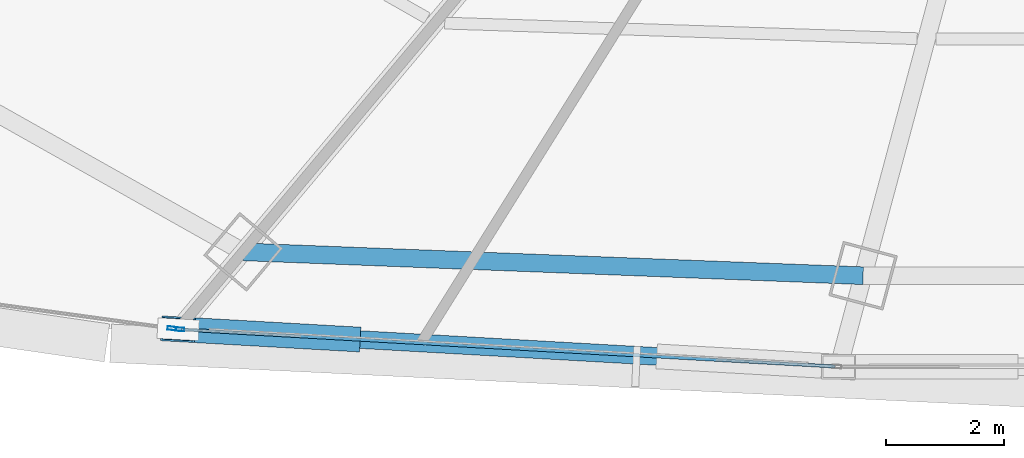
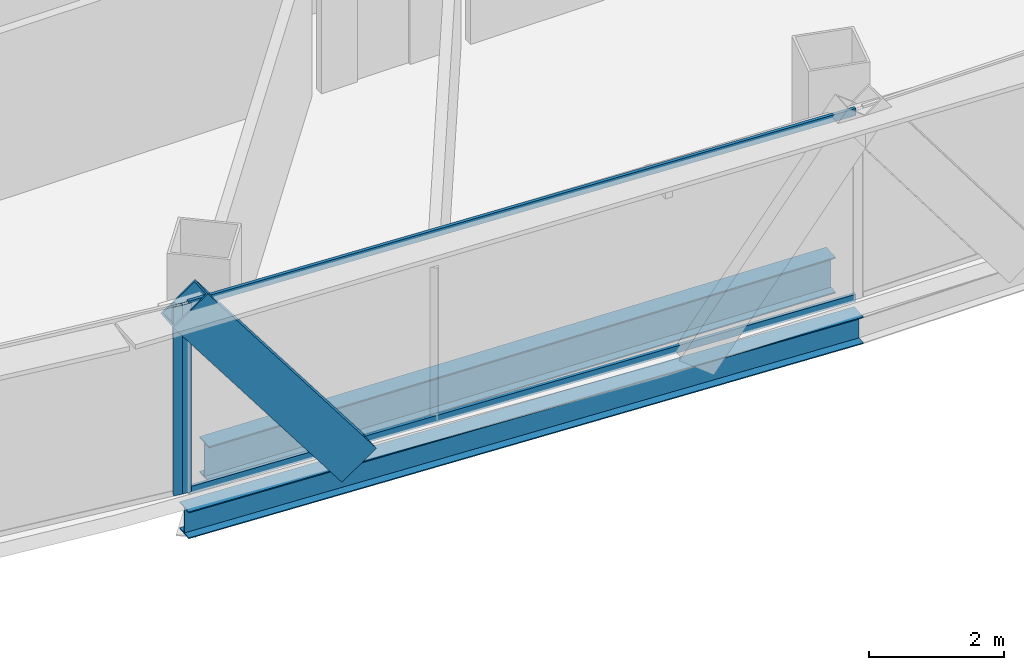
# One storey, part 6 of 39: 5 members, 2 beams, 2 elements without a shape of their own.
"""IFC4 building model written with IfcOpenShell, lengths in metres."""

from ifc_helpers import new_model, si_unit, direction, frame, origin, origin_2d, place, context, subcontext, project, spatial, hollow_rectangle, i_section, extrude, source, transform, mapped, material, layer, layer_set, material_profile, profile_set, type_object, element, aggregate, save


model = new_model("IFC4")

# Units and contexts
model_context = context("Model", 3, precision=1e-05, world=origin(), true_north=direction((0.0, 1.0)))
body_context = subcontext(model_context, "Body", "Model", "MODEL_VIEW")
ifc_project = project(units=[si_unit("LENGTHUNIT", "METRE"), si_unit("AREAUNIT", "SQUARE_METRE"), si_unit("VOLUMEUNIT", "CUBIC_METRE"), si_unit("PLANEANGLEUNIT", "RADIAN"), si_unit("MASSUNIT", "GRAM", prefix="KILO"), si_unit("THERMODYNAMICTEMPERATUREUNIT", "KELVIN"), si_unit("POWERUNIT", "WATT")], contexts=[model_context])

# Site, building, storey
site_placement = place(None, origin())
site = spatial("IfcSite", under=ifc_project, at=site_placement, CompositionType="ELEMENT")
building_placement = place(site_placement, origin())
building = spatial("IfcBuilding", under=site, at=building_placement, Name="Yunzhuo Pagoda Commons", CompositionType="ELEMENT")
storey_placement = place(building_placement, frame((0.0, 0.0, 140.8701171875)))
storey = spatial("IfcBuildingStorey", under=building, at=storey_placement, Name="L35", CompositionType="ELEMENT", Elevation=140.8701171875)

# Beams
ifc_material_1 = material(Name="Structural steel Q355B", Category="steel")
ifc_material_profile_1 = material_profile(ifc_material_1, i_section(OverallWidth=0.300048828125, OverallDepth=0.64990234375, WebThickness=0.012939453125, FlangeThickness=0.02197265625, at=origin_2d()), Name="Structural steel Q355B")
ifc_profile_set_1 = profile_set([ifc_material_profile_1], Name="Structural steel Q355B")
beam_type_1 = type_object("IfcBeamType", Name="B-RG2 Beam HN 650x300x13x22", PredefinedType="BEAM", material=ifc_profile_set_1)
shared_shape_1 = source(origin(), body_context, "Body", "SweptSolid", [
    extrude(i_section(OverallWidth=0.300048828125, OverallDepth=0.64990234375, WebThickness=0.012939453125, FlangeThickness=0.02197265625, at=origin_2d()), origin(), (0.0, 0.0, 1.0), 10.5078125),
])
beam_1_placement = place(storey_placement, frame((32.414794921875, 15.126220703125, -0.585205078125), z_axis=(0.999258632812, -0.03849915259, 0.0), x_axis=(0.03849915259, 0.999258632812, 0.0)))
element("IfcBeam", 1, at=beam_1_placement, inside=storey, type_object=beam_type_1, Name="L35 column-ring beam 1", PredefinedType="BEAM", context=body_context, shape_type="MappedRepresentation", body=[
    mapped(shared_shape_1, transform((0.0, 0.0, 0.0), scale=1.0)),
])
ifc_material_profile_2 = material_profile(ifc_material_1, i_section(OverallWidth=0.300048828125, OverallDepth=0.488037109375, WebThickness=0.010986328125, FlangeThickness=0.01806640625, at=origin_2d()), Name="Structural steel Q355B")
ifc_profile_set_2 = profile_set([ifc_material_profile_2], Name="Structural steel Q355B")
beam_type_2 = type_object("IfcBeamType", Name="B-SP1 Beam HM 488x300x11x18", PredefinedType="BEAM", material=ifc_profile_set_2)
shared_shape_2 = source(origin(), body_context, "Body", "SweptSolid", [
    extrude(i_section(OverallWidth=0.300048828125, OverallDepth=0.488037109375, WebThickness=0.010986328125, FlangeThickness=0.01806640625, at=origin_2d()), origin(), (0.0, 0.0, 1.0), 11.20556640625),
])
beam_2_placement = place(storey_placement, frame((31.314453125, 13.81494140625, -0.504150390625), z_axis=(0.998396692346, -0.056604281746, 0.0), x_axis=(0.056604281746, 0.998396692346, 0.0)))
element("IfcBeam", 2, at=beam_2_placement, inside=storey, type_object=beam_type_2, Name="L35 facade edge spandrel beam F1.1", PredefinedType="BEAM", context=body_context, shape_type="MappedRepresentation", body=[
    mapped(shared_shape_2, transform((0.0, 0.0, 0.0), scale=1.0)),
])

# Member
ifc_material_2 = material(Name="Structural steel Q420B", Category="steel")
ifc_material_profile_3 = material_profile(ifc_material_2, hollow_rectangle(XDim=0.419921875, YDim=0.719970703125, WallThickness=0.028076171875, at=origin_2d()), Name="Structural steel Q420B")
ifc_profile_set_3 = profile_set([ifc_material_profile_3], Name="Structural steel Q420B")
member_type_1 = type_object("IfcMemberType", Name="M-DL1 Brace BOX 720x420x28", PredefinedType="BRACE", material=ifc_profile_set_3)
shared_shape_3 = source(origin(), body_context, "Body", "SweptSolid", [
    extrude(hollow_rectangle(XDim=0.419921875, YDim=0.719970703125, WallThickness=0.028076171875, at=origin_2d()), origin(), (0.0, 0.0, 1.0), 4.625),
])
member_1_placement = place(storey_placement, frame((34.111328125, 13.65625, -0.260009765625), z_axis=(-0.604744365937, 0.034312485847, 0.795680152563), x_axis=(-0.056647717242, -0.998394228815, 0.0)))
element("IfcMember", 3, at=member_1_placement, inside=storey, type_object=member_type_1, Name="L35 facade diamond brace F1.1L", PredefinedType="BRACE", context=body_context, shape_type="MappedRepresentation", body=[
    mapped(shared_shape_3, transform((0.0, 0.0, 0.0), scale=1.0)),
])

# Curtain wall, member
ifc_material_3 = material(Name="Anodized aluminium 6063-T6", Category="aluminium")
ifc_layer = layer(ifc_material_3, 0.14990234375)
ifc_layer_set = layer_set([ifc_layer], Name="Anodized aluminium 6063-T6")
curtain_wall_type = type_object("IfcCurtainWallType", Name="CW-MID Mid-Zone Ribbon Curtain Wall", PredefinedType="NOTDEFINED", material=ifc_layer_set)
curtain_wall_1_placement = place(storey_placement, origin())
curtain_wall_1 = element("IfcCurtainWall", 4, at=curtain_wall_1_placement, inside=storey, type_object=curtain_wall_type, Name="L35 curtain wall CW-L35-F1B2", PredefinedType="NOTDEFINED")
ifc_material_profile_4 = material_profile(ifc_material_3, hollow_rectangle(XDim=0.06005859375, YDim=0.14990234375, WallThickness=0.00390625, at=origin_2d()), Name="Anodized aluminium 6063-T6")
ifc_profile_set_4 = profile_set([ifc_material_profile_4], Name="Anodized aluminium 6063-T6")
member_type_2 = type_object("IfcMemberType", Name="CW-MID-M Mullion RHS 150x60x4", PredefinedType="MULLION", material=ifc_profile_set_4)
shared_shape_4 = source(origin(), body_context, "Body", "SweptSolid", [
    extrude(hollow_rectangle(XDim=0.06005859375, YDim=0.14990234375, WallThickness=0.00390625, at=origin_2d()), origin(), (0.0, 0.0, 1.0), 3.419921875),
])
member_2_placement = place(storey_placement, frame((31.34423828125, 13.813232421875, 0.0), z_axis=(0.0, 0.0, 1.0), x_axis=(0.056597401536, 0.998397082397, 0.0)))
member_2 = element("IfcMember", 5, at=member_2_placement, type_object=member_type_2, Name="CW mullion 1", PredefinedType="MULLION", context=body_context, shape_type="MappedRepresentation", body=[
    mapped(shared_shape_4, transform((0.0, 0.0, 0.0), scale=1.0)),
])

curtain_wall_2_placement = place(storey_placement, origin())
curtain_wall_2 = element("IfcCurtainWall", 6, at=curtain_wall_2_placement, inside=storey, type_object=curtain_wall_type, Name="L35 curtain wall CW-L35-F1B1", PredefinedType="NOTDEFINED")
member_3_placement = place(storey_placement, frame((31.21044921875, 13.8291015625, 0.0), z_axis=(0.0, 0.0, 1.0), x_axis=(0.136220738131, 0.990678510165, 0.0)))
member_3 = element("IfcMember", 7, at=member_3_placement, type_object=member_type_2, Name="CW mullion 2", PredefinedType="MULLION", context=body_context, shape_type="MappedRepresentation", body=[
    mapped(shared_shape_4, transform((0.0, 0.0, 0.0), scale=1.0)),
])
aggregate(curtain_wall_2, [member_3])

# Member
ifc_material_profile_5 = material_profile(ifc_material_3, hollow_rectangle(XDim=0.054931640625, YDim=0.1298828125, WallThickness=0.00341796875, at=origin_2d()), Name="Anodized aluminium 6063-T6")
ifc_profile_set_5 = profile_set([ifc_material_profile_5], Name="Anodized aluminium 6063-T6")
member_type_3 = type_object("IfcMemberType", Name="CW-MID-T Transom RHS 130x55x3.5", PredefinedType="USERDEFINED", material=ifc_profile_set_5)
shared_shape_5 = source(origin(), body_context, "Body", "SweptSolid", [
    extrude(hollow_rectangle(XDim=0.054931640625, YDim=0.1298828125, WallThickness=0.00341796875, at=origin_2d()), origin(), (0.0, 0.0, 1.0), 11.085693359375),
])
member_4_placement = place(storey_placement, frame((31.374267578125, 13.8115234375, 0.02734375), z_axis=(0.998396965353, -0.056599466205, 0.0), x_axis=(0.056599466205, 0.998396965353, 0.0)))
member_4 = element("IfcMember", 8, at=member_4_placement, type_object=member_type_3, Name="CW transom 1.1", ObjectType="TRANSOM", PredefinedType="USERDEFINED", context=body_context, shape_type="MappedRepresentation", body=[
    mapped(shared_shape_5, transform((0.0, 0.0, 0.0), scale=1.0)),
])

member_5_placement = place(storey_placement, frame((31.374267578125, 13.8115234375, 3.392333984375), z_axis=(0.998396965353, -0.056599466205, 0.0), x_axis=(0.056599466205, 0.998396965353, 0.0)))
member_5 = element("IfcMember", 9, at=member_5_placement, type_object=member_type_3, Name="CW transom 1.2", ObjectType="TRANSOM", PredefinedType="USERDEFINED", context=body_context, shape_type="MappedRepresentation", body=[
    mapped(shared_shape_5, transform((0.0, 0.0, 0.0), scale=1.0)),
])

aggregate(curtain_wall_1, [member_2, member_4, member_5])

save(model, "model.ifc")
